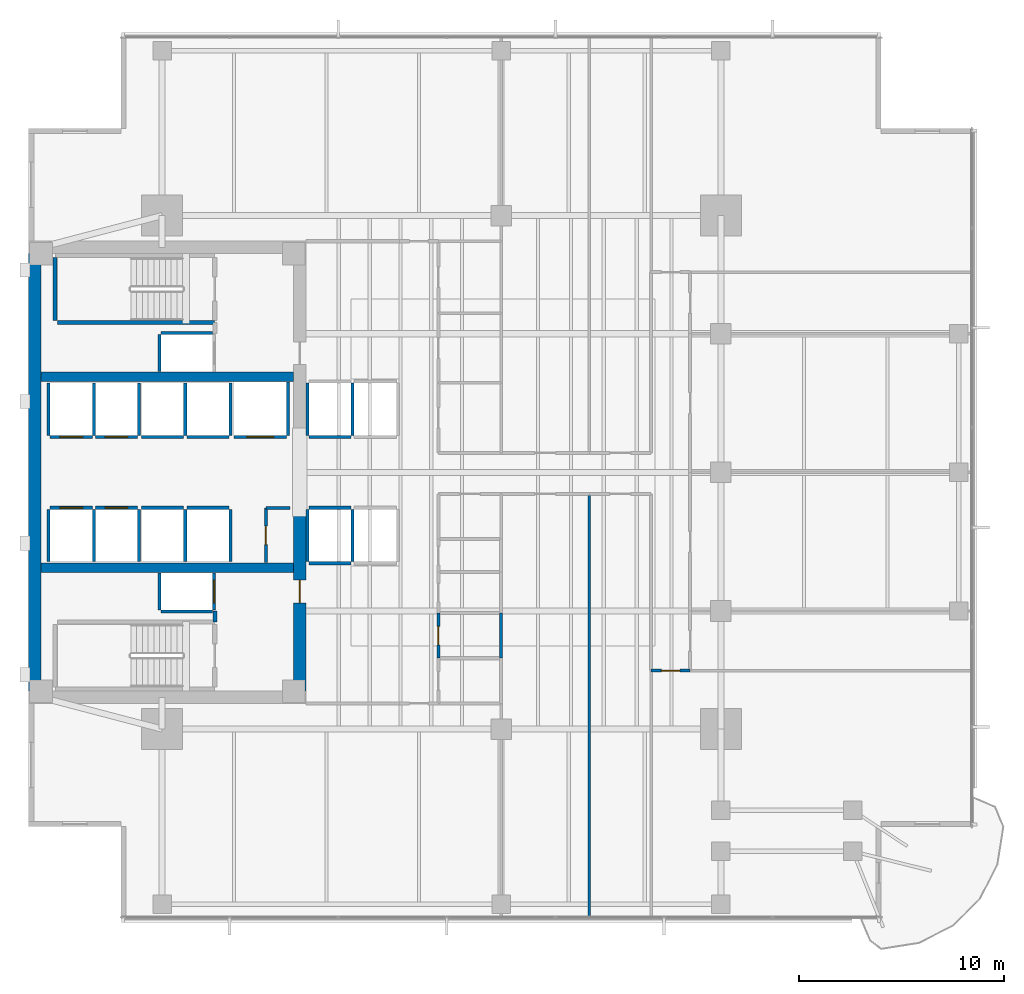
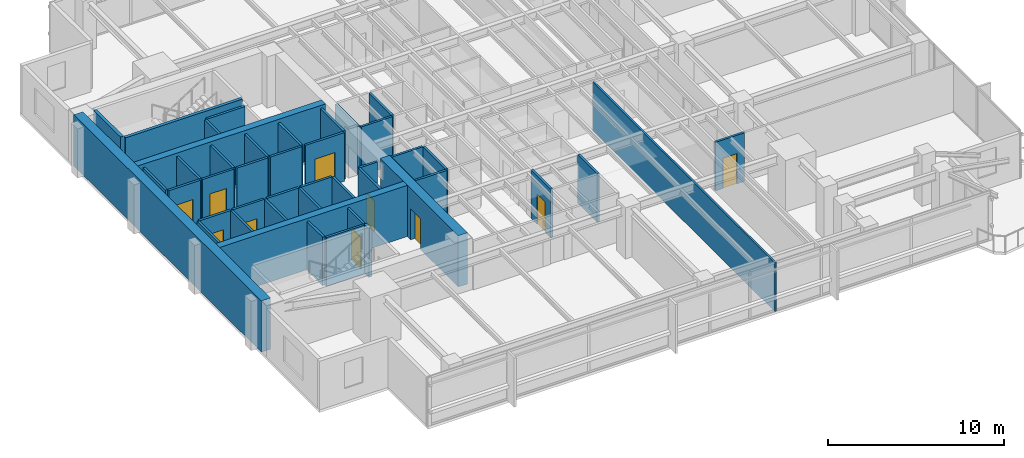
# One storey, part 8 of 14: 45 walls, 10 doors, 10 openings.
"""IFC4 building model written with IfcOpenShell, lengths in metres."""

from ifc_helpers import new_model, si_unit, direction, frame, frame_2d, origin, place, context, subcontext, project, spatial, rectangle, extrude, material, layer, layer_set, type_object, element, fill, save


model = new_model("IFC4")

# Units and contexts
model_context = context("Model", 3, precision=1e-05, world=origin(), true_north=direction((0.0, 1.0)))
body_context = subcontext(model_context, "Body", "Model", "MODEL_VIEW")
ifc_project = project(units=[si_unit("LENGTHUNIT", "METRE"), si_unit("AREAUNIT", "SQUARE_METRE"), si_unit("VOLUMEUNIT", "CUBIC_METRE"), si_unit("PLANEANGLEUNIT", "RADIAN"), si_unit("MASSUNIT", "GRAM", prefix="KILO")], contexts=[model_context])

# Site, building, storey
site_placement = place(None, origin())
site = spatial("IfcSite", under=ifc_project, at=site_placement, CompositionType="ELEMENT")
building_placement = place(site_placement, origin())
building = spatial("IfcBuilding", under=site, at=building_placement, Name="Kinhvarn Gate Tower", CompositionType="ELEMENT")
storey_placement = place(building_placement, frame((0.0, 0.0, 102.25)))
storey = spatial("IfcBuildingStorey", under=building, at=storey_placement, Name="L26", CompositionType="ELEMENT", Elevation=102.25)

# Walls
ifc_material_1 = material(Name="Concrete C50/60", Category="concrete")
ifc_layer_1 = layer(ifc_material_1, 0.449951171875)
ifc_layer_set_1 = layer_set([ifc_layer_1], Name="Concrete C50/60")
wall_type_1 = type_object("IfcWallType", Name="WL-CORE-450", PredefinedType="SHEAR", material=ifc_layer_set_1)
for number, where, z_axis, x_axis, name in (
    (1, (5.10009765625, 20.60009765625, 0.0), (0.0, 0.0, 1.0), (1.0, 0.0, 0.0), "Core South Spine Shear Wall L26 450 mm"),
    (2, (5.10009765625, 29.89990234375, 0.0), (0.0, 0.0, 1.0), (1.0, 0.0, 0.0), "Core North Spine Shear Wall L26 450 mm"),
):
    element("IfcWall", number, at=place(storey_placement, frame(where, z_axis=z_axis, x_axis=x_axis)), inside=storey, type_object=wall_type_1, Name=name, PredefinedType="SHEAR", context=body_context, shape_type="SweptSolid", body=[
        extrude(rectangle(XDim=12.2998046875, YDim=0.449951171875, at=frame_2d((6.14990234375, 0.0))), origin(), (0.0, 0.0, 1.0), 3.550048828125),
    ])

# Wall, opening, door
ifc_material_2 = material(Name="Concrete C60/75", Category="concrete")
ifc_layer_2 = layer(ifc_material_2, 0.60009765625)
ifc_layer_set_2 = layer_set([ifc_layer_2], Name="Concrete C60/75")
wall_type_2 = type_object("IfcWallType", Name="WL-CORE-600", PredefinedType="SHEAR", material=ifc_layer_set_2)
wall_1_placement = place(storey_placement, frame((17.699951171875, 14.60009765625, 0.0), z_axis=(0.0, 0.0, 1.0), x_axis=(0.0, 1.0, 0.0)))
wall_1 = element("IfcWall", 3, at=wall_1_placement, inside=storey, type_object=wall_type_2, Name="Core East-South Shear Pier L26 600 mm", PredefinedType="SHEAR", context=body_context, shape_type="SweptSolid", body=[
    extrude(rectangle(XDim=8.849853515625, YDim=0.60009765625, at=frame_2d((4.4248046875, 0.0))), origin(), (0.0, 0.0, 1.0), 3.550048828125),
])
opening_1_placement = place(wall_1_placement, frame((4.300048828125, 0.0, 0.0)))
opening_1 = element("IfcOpeningElement", 4, at=opening_1_placement, cuts=wall_1, Name="Opening FD-02", PredefinedType="OPENING", context=body_context, shape_type="SweptSolid", body=[
    extrude(rectangle(XDim=1.10009765625, YDim=2.14990234375, at=frame_2d((0.550048828125, 1.074951171875))), frame((0.0, 0.31005859375, 0.0), z_axis=(0.0, -1.0, 0.0), x_axis=(1.0, 0.0, 0.0)), (0.0, 0.0, 1.0), 0.6201171875),
])
ifc_material_3 = material(Name="Anodised aluminium AW-6063", Category="aluminium")
door_type_1 = type_object("IfcDoorType", Name="DR-FD-1100", OperationType="NOTDEFINED", PredefinedType="DOOR", material=ifc_material_3)
door_1_placement = place(opening_1_placement, origin())
door_1 = element("IfcDoor", 5, at=door_1_placement, inside=storey, type_object=door_type_1, Name="Firefighting Lobby Core Door (L26)", OperationType="SINGLE_SWING_RIGHT", OverallHeight=2.14990234375, OverallWidth=1.10009765625, PredefinedType="DOOR", context=body_context, shape_type="SweptSolid", body=[
    extrude(rectangle(XDim=1.10009765625, YDim=2.14990234375, at=frame_2d((0.550048828125, 1.074951171875))), frame((0.0, 0.02490234375, 0.0), z_axis=(0.0, -1.0, 0.0), x_axis=(1.0, 0.0, 0.0)), (0.0, 0.0, 1.0), 0.050048828125),
])
fill(opening_1, door_1)

# Walls
ifc_layer_3 = layer(ifc_material_2, 0.60009765625)
ifc_layer_set_3 = layer_set([ifc_layer_3], Name="Concrete C60/75")
wall_type_3 = type_object("IfcWallType", Name="WL-COREX-600", PredefinedType="SHEAR", material=ifc_layer_set_3)
wall_2_placement = place(storey_placement, frame((4.800048828125, 14.60009765625, 0.0), z_axis=(0.0, 0.0, 1.0), x_axis=(0.0, 1.0, 0.0)))
element("IfcWall", 6, at=wall_2_placement, inside=storey, type_object=wall_type_3, Name="Core West Shear Wall L26 600 mm", PredefinedType="SHEAR", context=body_context, shape_type="SweptSolid", body=[
    extrude(rectangle(XDim=21.2998046875, YDim=0.60009765625, at=frame_2d((10.64990234375, 0.0))), origin(), (0.0, 0.0, 1.0), 3.550048828125),
])
ifc_material_4 = material(Name="Gypsum acoustic partition board")
ifc_layer_4 = layer(ifc_material_4, 0.14990234375)
ifc_layer_set_4 = layer_set([ifc_layer_4], Name="Gypsum acoustic partition board")
wall_type_4 = type_object("IfcWallType", Name="WL-PLM-150", PredefinedType="PLUMBINGWALL", material=ifc_layer_set_4)
wall_3_placement = place(storey_placement, frame((27.5, 16.199951171875, 0.0), z_axis=(0.0, 0.0, 1.0), x_axis=(0.0, 1.0, 0.0)))
element("IfcWall", 7, at=wall_3_placement, inside=storey, type_object=wall_type_4, Name="Interior Partition PLW-150 (L26)", PredefinedType="PLUMBINGWALL", context=body_context, shape_type="SweptSolid", body=[
    extrude(rectangle(XDim=2.199951171875, YDim=0.14990234375, at=frame_2d((1.10009765625, 0.0))), origin(), (0.0, 0.0, 1.0), 3.3701171875),
])

# Wall, opening, door
ifc_layer_5 = layer(ifc_material_4, 0.14990234375)
ifc_layer_set_5 = layer_set([ifc_layer_5], Name="Gypsum acoustic partition board")
wall_type_5 = type_object("IfcWallType", Name="WL-PLM-150F", PredefinedType="PLUMBINGWALL", material=ifc_layer_set_5)
wall_4_placement = place(storey_placement, frame((24.449951171875, 16.199951171875, 0.0), z_axis=(0.0, 0.0, 1.0), x_axis=(0.0, 1.0, 0.0)))
wall_4 = element("IfcWall", 8, at=wall_4_placement, inside=storey, type_object=wall_type_5, Name="Interior Partition PLW-150F (L26)", PredefinedType="PLUMBINGWALL", context=body_context, shape_type="SweptSolid", body=[
    extrude(rectangle(XDim=2.199951171875, YDim=0.14990234375, at=frame_2d((1.10009765625, 0.0))), origin(), (0.0, 0.0, 1.0), 3.3701171875),
])
opening_2_placement = place(wall_4_placement, frame((0.64990234375, 0.0, 0.0)))
opening_2 = element("IfcOpeningElement", 9, at=opening_2_placement, cuts=wall_4, Name="Opening FD-04", PredefinedType="OPENING", context=body_context, shape_type="SweptSolid", body=[
    extrude(rectangle(XDim=0.89990234375, YDim=2.10009765625, at=frame_2d((0.449951171875, 1.050048828125))), frame((0.0, 0.0849609375, 0.0), z_axis=(0.0, -1.0, 0.0), x_axis=(1.0, 0.0, 0.0)), (0.0, 0.0, 1.0), 0.169921875),
])
door_type_2 = type_object("IfcDoorType", Name="DR-FD-900", OperationType="NOTDEFINED", PredefinedType="DOOR", material=ifc_material_3)
door_2_placement = place(opening_2_placement, origin())
door_2 = element("IfcDoor", 10, at=door_2_placement, inside=storey, type_object=door_type_2, Name="Rated Riser & Service Closet Fire Door 900x2100 mm (L26)", OperationType="SINGLE_SWING_LEFT", OverallHeight=2.10009765625, OverallWidth=0.89990234375, PredefinedType="DOOR", context=body_context, shape_type="SweptSolid", body=[
    extrude(rectangle(XDim=0.89990234375, YDim=2.10009765625, at=frame_2d((0.449951171875, 1.050048828125))), frame((0.0, 0.02490234375, 0.0), z_axis=(0.0, -1.0, 0.0), x_axis=(1.0, 0.0, 0.0)), (0.0, 0.0, 1.0), 0.050048828125),
])
fill(opening_2, door_2)

# Wall
ifc_layer_6 = layer(ifc_material_4, 0.1201171875)
ifc_layer_set_6 = layer_set([ifc_layer_6], Name="Gypsum acoustic partition board")
wall_type_6 = type_object("IfcWallType", Name="WL-PRT-120", PredefinedType="PARTITIONING", material=ifc_layer_set_6)
wall_5_placement = place(storey_placement, frame((31.800048828125, 3.510009765625, 0.0), z_axis=(0.0, 0.0, 1.0), x_axis=(0.0, 1.0, 0.0)))
element("IfcWall", 11, at=wall_5_placement, inside=storey, type_object=wall_type_6, Name="Interior Partition PW-120 (L26)", PredefinedType="PARTITIONING", context=body_context, shape_type="SweptSolid", body=[
    extrude(rectangle(XDim=20.68994140625, YDim=0.1201171875, at=frame_2d((10.344970703125, 0.0))), origin(), (0.0, 0.0, 1.0), 3.3701171875),
])

# Wall, opening, door
ifc_layer_7 = layer(ifc_material_4, 0.14990234375)
ifc_layer_set_7 = layer_set([ifc_layer_7], Name="Gypsum acoustic partition board")
wall_type_7 = type_object("IfcWallType", Name="WL-PRT-150F", PredefinedType="PARTITIONING", material=ifc_layer_set_7)
wall_6_placement = place(storey_placement, frame((16.050048828125, 20.85009765625, 0.0), z_axis=(0.0, 0.0, 1.0), x_axis=(0.0, 1.0, 0.0)))
wall_6 = element("IfcWall", 12, at=wall_6_placement, inside=storey, type_object=wall_type_7, Name="Interior Partition PW-150F (L26)", PredefinedType="PARTITIONING", context=body_context, shape_type="SweptSolid", body=[
    extrude(rectangle(XDim=2.669921875, YDim=0.14990234375, at=frame_2d((1.3349609375, 0.0))), origin(), (0.0, 0.0, 1.0), 3.3701171875),
])
opening_3_placement = place(wall_6_placement, frame((0.885009765625, 0.0, 0.0)))
opening_3 = element("IfcOpeningElement", 13, at=opening_3_placement, cuts=wall_6, Name="Opening FD-04", PredefinedType="OPENING", context=body_context, shape_type="SweptSolid", body=[
    extrude(rectangle(XDim=0.89990234375, YDim=2.10009765625, at=frame_2d((0.449951171875, 1.050048828125))), frame((0.0, 0.0849609375, 0.0), z_axis=(0.0, -1.0, 0.0), x_axis=(1.0, 0.0, 0.0)), (0.0, 0.0, 1.0), 0.169921875),
])
door_3_placement = place(opening_3_placement, origin())
door_3 = element("IfcDoor", 14, at=door_3_placement, inside=storey, type_object=door_type_2, Name="Rated Riser & Service Closet Fire Door 900x2100 mm (L26)", OperationType="SINGLE_SWING_LEFT", OverallHeight=2.10009765625, OverallWidth=0.89990234375, PredefinedType="DOOR", context=body_context, shape_type="SweptSolid", body=[
    extrude(rectangle(XDim=0.89990234375, YDim=2.10009765625, at=frame_2d((0.449951171875, 1.050048828125))), frame((0.0, 0.02490234375, 0.0), z_axis=(0.0, -1.0, 0.0), x_axis=(1.0, 0.0, 0.0)), (0.0, 0.0, 1.0), 0.050048828125),
])
fill(opening_3, door_3)

# Wall
wall_7_placement = place(storey_placement, frame((16.050048828125, 23.52001953125, 0.0), z_axis=(0.0, 0.0, 1.0), x_axis=(1.0, 0.0, 0.0)))
element("IfcWall", 15, at=wall_7_placement, inside=storey, type_object=wall_type_7, Name="Interior Partition PW-150F (L26)", PredefinedType="PARTITIONING", context=body_context, shape_type="SweptSolid", body=[
    extrude(rectangle(XDim=1.169921875, YDim=0.14990234375, at=frame_2d((0.5849609375, 0.0))), origin(), (0.0, 0.0, 1.0), 3.3701171875),
])

# Wall, opening, door
wall_8_placement = place(storey_placement, frame((34.800048828125, 15.60009765625, 0.0), z_axis=(0.0, 0.0, 1.0), x_axis=(1.0, 0.0, 0.0)))
wall_8 = element("IfcWall", 16, at=wall_8_placement, inside=storey, type_object=wall_type_7, Name="Interior Partition PW-150F (L26)", PredefinedType="PARTITIONING", context=body_context, shape_type="SweptSolid", body=[
    extrude(rectangle(XDim=1.89990234375, YDim=0.14990234375, at=frame_2d((0.949951171875, 0.0))), origin(), (0.0, 0.0, 1.0), 3.3701171875),
])
opening_4_placement = place(wall_8_placement, frame((0.5, 0.0, 0.0)))
opening_4 = element("IfcOpeningElement", 17, at=opening_4_placement, cuts=wall_8, Name="Opening ID-03", PredefinedType="OPENING", context=body_context, shape_type="SweptSolid", body=[
    extrude(rectangle(XDim=0.89990234375, YDim=2.10009765625, at=frame_2d((0.449951171875, 1.050048828125))), frame((0.0, 0.0849609375, 0.0), z_axis=(0.0, -1.0, 0.0), x_axis=(1.0, 0.0, 0.0)), (0.0, 0.0, 1.0), 0.169921875),
])
door_type_3 = type_object("IfcDoorType", Name="DR-INT-900", OperationType="NOTDEFINED", PredefinedType="DOOR", material=ifc_material_3)
door_4_placement = place(opening_4_placement, origin())
door_4 = element("IfcDoor", 18, at=door_4_placement, inside=storey, type_object=door_type_3, Name="Cellular Office & Restroom Door 900x2100 mm (L26)", OperationType="SINGLE_SWING_RIGHT", OverallHeight=2.10009765625, OverallWidth=0.89990234375, PredefinedType="DOOR", context=body_context, shape_type="SweptSolid", body=[
    extrude(rectangle(XDim=0.89990234375, YDim=2.10009765625, at=frame_2d((0.449951171875, 1.050048828125))), frame((0.0, 0.02490234375, 0.0), z_axis=(0.0, -1.0, 0.0), x_axis=(1.0, 0.0, 0.0)), (0.0, 0.0, 1.0), 0.050048828125),
])
fill(opening_4, door_4)

# Walls
ifc_layer_8 = layer(ifc_material_4, 0.199951171875)
ifc_layer_set_8 = layer_set([ifc_layer_8], Name="Gypsum acoustic partition board")
wall_type_8 = type_object("IfcWallType", Name="WL-PRT-200", PredefinedType="PARTITIONING", material=ifc_layer_set_8)
wall_9_placement = place(storey_placement, frame((13.580078125, 17.9599609375, 0.0), z_axis=(0.0, 0.0, 1.0), x_axis=(0.0, 1.0, 0.0)))
element("IfcWall", 19, at=wall_9_placement, inside=storey, type_object=wall_type_8, Name="Interior Partition PW-200 (L26)", PredefinedType="PARTITIONING", context=body_context, shape_type="SweptSolid", body=[
    extrude(rectangle(XDim=0.5400390625, YDim=0.199951171875, at=frame_2d((0.27001953125, 0.0))), origin(), (0.0, 0.0, 1.0), 3.3701171875),
])
ifc_layer_9 = layer(ifc_material_4, 0.14990234375)
ifc_layer_set_9 = layer_set([ifc_layer_9], Name="Gypsum acoustic partition board")
wall_type_9 = type_object("IfcWallType", Name="WL-SHF-150", PredefinedType="PARTITIONING", material=ifc_layer_set_9)
for number, where, z_axis, x_axis, name in (
    (20, (18.14990234375, 20.824951171875, 0.0), (0.0, 0.0, 1.0), (1.0, 0.0, 0.0), "Elevator PL-01 Hoistway Wall S (L26)"),
    (21, (18.14990234375, 23.52490234375, 0.0), (0.0, 0.0, 1.0), (1.0, 0.0, 0.0), "Elevator PL-01 Landing Wall (L26)"),
):
    element("IfcWall", number, at=place(storey_placement, frame(where, z_axis=z_axis, x_axis=x_axis)), inside=storey, type_object=wall_type_9, Name=name, PredefinedType="PARTITIONING", context=body_context, shape_type="SweptSolid", body=[
        extrude(rectangle(XDim=2.050048828125, YDim=0.14990234375, at=frame_2d((1.02490234375, 0.0))), origin(), (0.0, 0.0, 1.0), 3.3701171875),
    ])
for number, where, z_axis, x_axis, name in (
    (22, (18.074951171875, 20.89990234375, 0.0), (0.0, 0.0, 1.0), (0.0, 1.0, 0.0), "Elevator PL-01 Hoistway Wall W (L26)"),
    (23, (20.27490234375, 20.89990234375, 0.0), (0.0, 0.0, 1.0), (0.0, 1.0, 0.0), "Elevator PL-01 Hoistway Wall E (L26)"),
):
    element("IfcWall", number, at=place(storey_placement, frame(where, z_axis=z_axis, x_axis=x_axis)), inside=storey, type_object=wall_type_9, Name=name, PredefinedType="PARTITIONING", context=body_context, shape_type="SweptSolid", body=[
        extrude(rectangle(XDim=2.550048828125, YDim=0.14990234375, at=frame_2d((1.27490234375, 0.0))), origin(), (0.0, 0.0, 1.0), 3.3701171875),
    ])
wall_10_placement = place(storey_placement, frame((18.14990234375, 26.97509765625, 0.0), z_axis=(0.0, 0.0, 1.0), x_axis=(1.0, 0.0, 0.0)))
element("IfcWall", 24, at=wall_10_placement, inside=storey, type_object=wall_type_9, Name="Elevator PL-03 Landing Wall (L26)", PredefinedType="PARTITIONING", context=body_context, shape_type="SweptSolid", body=[
    extrude(rectangle(XDim=2.050048828125, YDim=0.14990234375, at=frame_2d((1.02490234375, 0.0))), origin(), (0.0, 0.0, 1.0), 3.3701171875),
])
for number, where, z_axis, x_axis, name in (
    (25, (18.074951171875, 27.050048828125, 0.0), (0.0, 0.0, 1.0), (0.0, 1.0, 0.0), "Elevator PL-03 Hoistway Wall W (L26)"),
    (26, (20.27490234375, 27.050048828125, 0.0), (0.0, 0.0, 1.0), (0.0, 1.0, 0.0), "Elevator PL-03 Hoistway Wall E (L26)"),
):
    element("IfcWall", number, at=place(storey_placement, frame(where, z_axis=z_axis, x_axis=x_axis)), inside=storey, type_object=wall_type_9, Name=name, PredefinedType="PARTITIONING", context=body_context, shape_type="SweptSolid", body=[
        extrude(rectangle(XDim=2.550048828125, YDim=0.14990234375, at=frame_2d((1.27490234375, 0.0))), origin(), (0.0, 0.0, 1.0), 3.3701171875),
    ])

# Wall, opening, door
wall_11_placement = place(storey_placement, frame((5.550048828125, 23.52490234375, 0.0), z_axis=(0.0, 0.0, 1.0), x_axis=(1.0, 0.0, 0.0)))
wall_11 = element("IfcWall", 27, at=wall_11_placement, inside=storey, type_object=wall_type_9, Name="Elevator PM-05 Landing Wall (L26)", PredefinedType="PARTITIONING", context=body_context, shape_type="SweptSolid", body=[
    extrude(rectangle(XDim=2.050048828125, YDim=0.14990234375, at=frame_2d((1.02490234375, 0.0))), origin(), (0.0, 0.0, 1.0), 3.3701171875),
])
opening_5_placement = place(wall_11_placement, frame((0.47509765625, 0.0, 0.0)))
opening_5 = element("IfcOpeningElement", 28, at=opening_5_placement, cuts=wall_11, Name="Opening LD-01", PredefinedType="OPENING", context=body_context, shape_type="SweptSolid", body=[
    extrude(rectangle(XDim=1.10009765625, YDim=2.199951171875, at=frame_2d((0.550048828125, 1.10009765625))), frame((0.0, 0.0849609375, 0.0), z_axis=(0.0, -1.0, 0.0), x_axis=(1.0, 0.0, 0.0)), (0.0, 0.0, 1.0), 0.169921875),
])
door_type_4 = type_object("IfcDoorType", Name="DR-LND-PAS", OperationType="NOTDEFINED", PredefinedType="DOOR", material=ifc_material_3)
door_5_placement = place(opening_5_placement, origin())
door_5 = element("IfcDoor", 29, at=door_5_placement, inside=storey, type_object=door_type_4, Name="Elevator PM-05 Sliding Landing Door (L26)", OperationType="DOUBLE_DOOR_SLIDING", OverallHeight=2.199951171875, OverallWidth=1.10009765625, PredefinedType="DOOR", context=body_context, shape_type="SweptSolid", body=[
    extrude(rectangle(XDim=1.10009765625, YDim=2.199951171875, at=frame_2d((0.550048828125, 1.10009765625))), frame((0.0, 0.02490234375, 0.0), z_axis=(0.0, -1.0, 0.0), x_axis=(1.0, 0.0, 0.0)), (0.0, 0.0, 1.0), 0.050048828125),
])
fill(opening_5, door_5)

# Walls
for number, where, z_axis, x_axis, name in (
    (30, (5.47509765625, 20.89990234375, 0.0), (0.0, 0.0, 1.0), (0.0, 1.0, 0.0), "Elevator PM-05 Hoistway Wall W (L26)"),
    (31, (7.675048828125, 20.89990234375, 0.0), (0.0, 0.0, 1.0), (0.0, 1.0, 0.0), "Elevator PM-05 Hoistway Wall E (L26)"),
):
    element("IfcWall", number, at=place(storey_placement, frame(where, z_axis=z_axis, x_axis=x_axis)), inside=storey, type_object=wall_type_9, Name=name, PredefinedType="PARTITIONING", context=body_context, shape_type="SweptSolid", body=[
        extrude(rectangle(XDim=2.550048828125, YDim=0.14990234375, at=frame_2d((1.27490234375, 0.0))), origin(), (0.0, 0.0, 1.0), 3.3701171875),
    ])

# Wall, opening, door
wall_12_placement = place(storey_placement, frame((7.75, 23.52490234375, 0.0), z_axis=(0.0, 0.0, 1.0), x_axis=(1.0, 0.0, 0.0)))
wall_12 = element("IfcWall", 32, at=wall_12_placement, inside=storey, type_object=wall_type_9, Name="Elevator PM-06 Landing Wall (L26)", PredefinedType="PARTITIONING", context=body_context, shape_type="SweptSolid", body=[
    extrude(rectangle(XDim=2.050048828125, YDim=0.14990234375, at=frame_2d((1.02490234375, 0.0))), origin(), (0.0, 0.0, 1.0), 3.3701171875),
])
opening_6_placement = place(wall_12_placement, frame((0.47509765625, 0.0, 0.0)))
opening_6 = element("IfcOpeningElement", 33, at=opening_6_placement, cuts=wall_12, Name="Opening LD-01", PredefinedType="OPENING", context=body_context, shape_type="SweptSolid", body=[
    extrude(rectangle(XDim=1.10009765625, YDim=2.199951171875, at=frame_2d((0.550048828125, 1.10009765625))), frame((0.0, 0.0849609375, 0.0), z_axis=(0.0, -1.0, 0.0), x_axis=(1.0, 0.0, 0.0)), (0.0, 0.0, 1.0), 0.169921875),
])
door_6_placement = place(opening_6_placement, origin())
door_6 = element("IfcDoor", 34, at=door_6_placement, inside=storey, type_object=door_type_4, Name="Elevator PM-06 Sliding Landing Door (L26)", OperationType="DOUBLE_DOOR_SLIDING", OverallHeight=2.199951171875, OverallWidth=1.10009765625, PredefinedType="DOOR", context=body_context, shape_type="SweptSolid", body=[
    extrude(rectangle(XDim=1.10009765625, YDim=2.199951171875, at=frame_2d((0.550048828125, 1.10009765625))), frame((0.0, 0.02490234375, 0.0), z_axis=(0.0, -1.0, 0.0), x_axis=(1.0, 0.0, 0.0)), (0.0, 0.0, 1.0), 0.050048828125),
])
fill(opening_6, door_6)

# Wall
wall_13_placement = place(storey_placement, frame((9.875, 20.89990234375, 0.0), z_axis=(0.0, 0.0, 1.0), x_axis=(0.0, 1.0, 0.0)))
element("IfcWall", 35, at=wall_13_placement, inside=storey, type_object=wall_type_9, Name="Elevator PM-06 Hoistway Wall E (L26)", PredefinedType="PARTITIONING", context=body_context, shape_type="SweptSolid", body=[
    extrude(rectangle(XDim=2.550048828125, YDim=0.14990234375, at=frame_2d((1.27490234375, 0.0))), origin(), (0.0, 0.0, 1.0), 3.3701171875),
])

# Wall, opening, door
wall_14_placement = place(storey_placement, frame((5.550048828125, 26.97509765625, 0.0), z_axis=(0.0, 0.0, 1.0), x_axis=(1.0, 0.0, 0.0)))
wall_14 = element("IfcWall", 36, at=wall_14_placement, inside=storey, type_object=wall_type_9, Name="Elevator PM-07 Landing Wall (L26)", PredefinedType="PARTITIONING", context=body_context, shape_type="SweptSolid", body=[
    extrude(rectangle(XDim=2.050048828125, YDim=0.14990234375, at=frame_2d((1.02490234375, 0.0))), origin(), (0.0, 0.0, 1.0), 3.3701171875),
])
opening_7_placement = place(wall_14_placement, frame((0.47509765625, 0.0, 0.0)))
opening_7 = element("IfcOpeningElement", 37, at=opening_7_placement, cuts=wall_14, Name="Opening LD-01", PredefinedType="OPENING", context=body_context, shape_type="SweptSolid", body=[
    extrude(rectangle(XDim=1.10009765625, YDim=2.199951171875, at=frame_2d((0.550048828125, 1.10009765625))), frame((0.0, 0.0849609375, 0.0), z_axis=(0.0, -1.0, 0.0), x_axis=(1.0, 0.0, 0.0)), (0.0, 0.0, 1.0), 0.169921875),
])
door_7_placement = place(opening_7_placement, origin())
door_7 = element("IfcDoor", 38, at=door_7_placement, inside=storey, type_object=door_type_4, Name="Elevator PM-07 Sliding Landing Door (L26)", OperationType="DOUBLE_DOOR_SLIDING", OverallHeight=2.199951171875, OverallWidth=1.10009765625, PredefinedType="DOOR", context=body_context, shape_type="SweptSolid", body=[
    extrude(rectangle(XDim=1.10009765625, YDim=2.199951171875, at=frame_2d((0.550048828125, 1.10009765625))), frame((0.0, 0.02490234375, 0.0), z_axis=(0.0, -1.0, 0.0), x_axis=(1.0, 0.0, 0.0)), (0.0, 0.0, 1.0), 0.050048828125),
])
fill(opening_7, door_7)

# Walls
for number, where, z_axis, x_axis, name in (
    (39, (5.47509765625, 27.050048828125, 0.0), (0.0, 0.0, 1.0), (0.0, 1.0, 0.0), "Elevator PM-07 Hoistway Wall W (L26)"),
    (40, (7.675048828125, 27.050048828125, 0.0), (0.0, 0.0, 1.0), (0.0, 1.0, 0.0), "Elevator PM-07 Hoistway Wall E (L26)"),
):
    element("IfcWall", number, at=place(storey_placement, frame(where, z_axis=z_axis, x_axis=x_axis)), inside=storey, type_object=wall_type_9, Name=name, PredefinedType="PARTITIONING", context=body_context, shape_type="SweptSolid", body=[
        extrude(rectangle(XDim=2.550048828125, YDim=0.14990234375, at=frame_2d((1.27490234375, 0.0))), origin(), (0.0, 0.0, 1.0), 3.3701171875),
    ])

# Wall, opening, door
wall_15_placement = place(storey_placement, frame((7.75, 26.97509765625, 0.0), z_axis=(0.0, 0.0, 1.0), x_axis=(1.0, 0.0, 0.0)))
wall_15 = element("IfcWall", 41, at=wall_15_placement, inside=storey, type_object=wall_type_9, Name="Elevator PM-08 Landing Wall (L26)", PredefinedType="PARTITIONING", context=body_context, shape_type="SweptSolid", body=[
    extrude(rectangle(XDim=2.050048828125, YDim=0.14990234375, at=frame_2d((1.02490234375, 0.0))), origin(), (0.0, 0.0, 1.0), 3.3701171875),
])
opening_8_placement = place(wall_15_placement, frame((0.47509765625, 0.0, 0.0)))
opening_8 = element("IfcOpeningElement", 42, at=opening_8_placement, cuts=wall_15, Name="Opening LD-01", PredefinedType="OPENING", context=body_context, shape_type="SweptSolid", body=[
    extrude(rectangle(XDim=1.10009765625, YDim=2.199951171875, at=frame_2d((0.550048828125, 1.10009765625))), frame((0.0, 0.0849609375, 0.0), z_axis=(0.0, -1.0, 0.0), x_axis=(1.0, 0.0, 0.0)), (0.0, 0.0, 1.0), 0.169921875),
])
door_8_placement = place(opening_8_placement, origin())
door_8 = element("IfcDoor", 43, at=door_8_placement, inside=storey, type_object=door_type_4, Name="Elevator PM-08 Sliding Landing Door (L26)", OperationType="DOUBLE_DOOR_SLIDING", OverallHeight=2.199951171875, OverallWidth=1.10009765625, PredefinedType="DOOR", context=body_context, shape_type="SweptSolid", body=[
    extrude(rectangle(XDim=1.10009765625, YDim=2.199951171875, at=frame_2d((0.550048828125, 1.10009765625))), frame((0.0, 0.02490234375, 0.0), z_axis=(0.0, -1.0, 0.0), x_axis=(1.0, 0.0, 0.0)), (0.0, 0.0, 1.0), 0.050048828125),
])
fill(opening_8, door_8)

# Walls
wall_16_placement = place(storey_placement, frame((9.875, 27.050048828125, 0.0), z_axis=(0.0, 0.0, 1.0), x_axis=(0.0, 1.0, 0.0)))
element("IfcWall", 44, at=wall_16_placement, inside=storey, type_object=wall_type_9, Name="Elevator PM-08 Hoistway Wall E (L26)", PredefinedType="PARTITIONING", context=body_context, shape_type="SweptSolid", body=[
    extrude(rectangle(XDim=2.550048828125, YDim=0.14990234375, at=frame_2d((1.27490234375, 0.0))), origin(), (0.0, 0.0, 1.0), 3.3701171875),
])
wall_17_placement = place(storey_placement, frame((10.0, 23.52490234375, 0.0), z_axis=(0.0, 0.0, 1.0), x_axis=(1.0, 0.0, 0.0)))
element("IfcWall", 45, at=wall_17_placement, inside=storey, type_object=wall_type_9, Name="Elevator PH-09 Landing Wall (L26)", PredefinedType="PARTITIONING", context=body_context, shape_type="SweptSolid", body=[
    extrude(rectangle(XDim=2.050048828125, YDim=0.14990234375, at=frame_2d((1.02490234375, 0.0))), origin(), (0.0, 0.0, 1.0), 3.3701171875),
])
wall_18_placement = place(storey_placement, frame((12.125, 20.89990234375, 0.0), z_axis=(0.0, 0.0, 1.0), x_axis=(0.0, 1.0, 0.0)))
element("IfcWall", 46, at=wall_18_placement, inside=storey, type_object=wall_type_9, Name="Elevator PH-09 Hoistway Wall E (L26)", PredefinedType="PARTITIONING", context=body_context, shape_type="SweptSolid", body=[
    extrude(rectangle(XDim=2.550048828125, YDim=0.14990234375, at=frame_2d((1.27490234375, 0.0))), origin(), (0.0, 0.0, 1.0), 3.3701171875),
])
wall_19_placement = place(storey_placement, frame((12.199951171875, 23.52490234375, 0.0), z_axis=(0.0, 0.0, 1.0), x_axis=(1.0, 0.0, 0.0)))
element("IfcWall", 47, at=wall_19_placement, inside=storey, type_object=wall_type_9, Name="Elevator PH-10 Landing Wall (L26)", PredefinedType="PARTITIONING", context=body_context, shape_type="SweptSolid", body=[
    extrude(rectangle(XDim=2.050048828125, YDim=0.14990234375, at=frame_2d((1.02490234375, 0.0))), origin(), (0.0, 0.0, 1.0), 3.3701171875),
])
wall_20_placement = place(storey_placement, frame((14.324951171875, 20.89990234375, 0.0), z_axis=(0.0, 0.0, 1.0), x_axis=(0.0, 1.0, 0.0)))
element("IfcWall", 48, at=wall_20_placement, inside=storey, type_object=wall_type_9, Name="Elevator PH-10 Hoistway Wall E (L26)", PredefinedType="PARTITIONING", context=body_context, shape_type="SweptSolid", body=[
    extrude(rectangle(XDim=2.550048828125, YDim=0.14990234375, at=frame_2d((1.27490234375, 0.0))), origin(), (0.0, 0.0, 1.0), 3.3701171875),
])
wall_21_placement = place(storey_placement, frame((10.0, 26.97509765625, 0.0), z_axis=(0.0, 0.0, 1.0), x_axis=(1.0, 0.0, 0.0)))
element("IfcWall", 49, at=wall_21_placement, inside=storey, type_object=wall_type_9, Name="Elevator PH-11 Landing Wall (L26)", PredefinedType="PARTITIONING", context=body_context, shape_type="SweptSolid", body=[
    extrude(rectangle(XDim=2.050048828125, YDim=0.14990234375, at=frame_2d((1.02490234375, 0.0))), origin(), (0.0, 0.0, 1.0), 3.3701171875),
])
wall_22_placement = place(storey_placement, frame((12.125, 27.050048828125, 0.0), z_axis=(0.0, 0.0, 1.0), x_axis=(0.0, 1.0, 0.0)))
element("IfcWall", 50, at=wall_22_placement, inside=storey, type_object=wall_type_9, Name="Elevator PH-11 Hoistway Wall E (L26)", PredefinedType="PARTITIONING", context=body_context, shape_type="SweptSolid", body=[
    extrude(rectangle(XDim=2.550048828125, YDim=0.14990234375, at=frame_2d((1.27490234375, 0.0))), origin(), (0.0, 0.0, 1.0), 3.3701171875),
])
wall_23_placement = place(storey_placement, frame((12.199951171875, 26.97509765625, 0.0), z_axis=(0.0, 0.0, 1.0), x_axis=(1.0, 0.0, 0.0)))
element("IfcWall", 51, at=wall_23_placement, inside=storey, type_object=wall_type_9, Name="Elevator PH-12 Landing Wall (L26)", PredefinedType="PARTITIONING", context=body_context, shape_type="SweptSolid", body=[
    extrude(rectangle(XDim=2.050048828125, YDim=0.14990234375, at=frame_2d((1.02490234375, 0.0))), origin(), (0.0, 0.0, 1.0), 3.3701171875),
])
wall_24_placement = place(storey_placement, frame((14.324951171875, 27.050048828125, 0.0), z_axis=(0.0, 0.0, 1.0), x_axis=(0.0, 1.0, 0.0)))
element("IfcWall", 52, at=wall_24_placement, inside=storey, type_object=wall_type_9, Name="Elevator PH-12 Hoistway Wall E (L26)", PredefinedType="PARTITIONING", context=body_context, shape_type="SweptSolid", body=[
    extrude(rectangle(XDim=2.550048828125, YDim=0.14990234375, at=frame_2d((1.27490234375, 0.0))), origin(), (0.0, 0.0, 1.0), 3.3701171875),
])

# Wall, opening, door
wall_25_placement = place(storey_placement, frame((14.5, 26.97509765625, 0.0), z_axis=(0.0, 0.0, 1.0), x_axis=(1.0, 0.0, 0.0)))
wall_25 = element("IfcWall", 53, at=wall_25_placement, inside=storey, type_object=wall_type_9, Name="Elevator SV-01 Landing Wall (L26)", PredefinedType="PARTITIONING", context=body_context, shape_type="SweptSolid", body=[
    extrude(rectangle(XDim=2.550048828125, YDim=0.14990234375, at=frame_2d((1.27490234375, 0.0))), origin(), (0.0, 0.0, 1.0), 3.3701171875),
])
opening_9_placement = place(wall_25_placement, frame((0.625, 0.0, 0.0)))
opening_9 = element("IfcOpeningElement", 54, at=opening_9_placement, cuts=wall_25, Name="Opening LD-02", PredefinedType="OPENING", context=body_context, shape_type="SweptSolid", body=[
    extrude(rectangle(XDim=1.300048828125, YDim=2.199951171875, at=frame_2d((0.64990234375, 1.10009765625))), frame((0.0, 0.0849609375, 0.0), z_axis=(0.0, -1.0, 0.0), x_axis=(1.0, 0.0, 0.0)), (0.0, 0.0, 1.0), 0.169921875),
])
door_type_5 = type_object("IfcDoorType", Name="DR-LND-SRV", OperationType="NOTDEFINED", PredefinedType="DOOR", material=ifc_material_3)
door_9_placement = place(opening_9_placement, origin())
door_9 = element("IfcDoor", 55, at=door_9_placement, inside=storey, type_object=door_type_5, Name="Elevator SV-01 Sliding Landing Door (L26)", OperationType="DOUBLE_DOOR_SLIDING", OverallHeight=2.199951171875, OverallWidth=1.300048828125, PredefinedType="DOOR", context=body_context, shape_type="SweptSolid", body=[
    extrude(rectangle(XDim=1.300048828125, YDim=2.199951171875, at=frame_2d((0.64990234375, 1.10009765625))), frame((0.0, 0.02490234375, 0.0), z_axis=(0.0, -1.0, 0.0), x_axis=(1.0, 0.0, 0.0)), (0.0, 0.0, 1.0), 0.050048828125),
])
fill(opening_9, door_9)

# Walls
wall_26_placement = place(storey_placement, frame((17.125, 27.050048828125, 0.0), z_axis=(0.0, 0.0, 1.0), x_axis=(0.0, 1.0, 0.0)))
element("IfcWall", 56, at=wall_26_placement, inside=storey, type_object=wall_type_9, Name="Elevator SV-01 Hoistway Wall E (L26)", PredefinedType="PARTITIONING", context=body_context, shape_type="SweptSolid", body=[
    extrude(rectangle(XDim=2.599853515625, YDim=0.14990234375, at=frame_2d((1.2998046875, 0.0))), origin(), (0.0, 0.0, 1.0), 3.3701171875),
])
wall_27_placement = place(storey_placement, frame((10.949951171875, 18.47509765625, 0.0), z_axis=(0.0, 0.0, 1.0), x_axis=(1.0, 0.0, 0.0)))
element("IfcWall", 57, at=wall_27_placement, inside=storey, type_object=wall_type_9, Name="Elevator FF1 Hoistway Wall S (L26)", PredefinedType="PARTITIONING", context=body_context, shape_type="SweptSolid", body=[
    extrude(rectangle(XDim=2.5, YDim=0.14990234375, at=frame_2d((1.25, 0.0))), origin(), (0.0, 0.0, 1.0), 3.3701171875),
])
wall_28_placement = place(storey_placement, frame((10.875, 18.550048828125, 0.0), z_axis=(0.0, 0.0, 1.0), x_axis=(0.0, 1.0, 0.0)))
element("IfcWall", 58, at=wall_28_placement, inside=storey, type_object=wall_type_9, Name="Elevator FF1 Hoistway Wall W (L26)", PredefinedType="PARTITIONING", context=body_context, shape_type="SweptSolid", body=[
    extrude(rectangle(XDim=1.800048828125, YDim=0.14990234375, at=frame_2d((0.89990234375, 0.0))), origin(), (0.0, 0.0, 1.0), 3.3701171875),
])

# Wall, opening, door
wall_29_placement = place(storey_placement, frame((13.52490234375, 18.550048828125, 0.0), z_axis=(0.0, 0.0, 1.0), x_axis=(0.0, 1.0, 0.0)))
wall_29 = element("IfcWall", 59, at=wall_29_placement, inside=storey, type_object=wall_type_9, Name="Elevator FF1 Landing Wall (L26)", PredefinedType="PARTITIONING", context=body_context, shape_type="SweptSolid", body=[
    extrude(rectangle(XDim=1.800048828125, YDim=0.14990234375, at=frame_2d((0.89990234375, 0.0))), origin(), (0.0, 0.0, 1.0), 3.3701171875),
])
opening_10_placement = place(wall_29_placement, frame((0.35009765625, 0.0, 0.0)))
opening_10 = element("IfcOpeningElement", 60, at=opening_10_placement, cuts=wall_29, Name="Opening LD-03", PredefinedType="OPENING", context=body_context, shape_type="SweptSolid", body=[
    extrude(rectangle(XDim=1.10009765625, YDim=2.199951171875, at=frame_2d((0.550048828125, 1.10009765625))), frame((0.0, 0.0849609375, 0.0), z_axis=(0.0, -1.0, 0.0), x_axis=(1.0, 0.0, 0.0)), (0.0, 0.0, 1.0), 0.169921875),
])
door_type_6 = type_object("IfcDoorType", Name="DR-LND-FF", OperationType="NOTDEFINED", PredefinedType="DOOR", material=ifc_material_3)
door_10_placement = place(opening_10_placement, origin())
door_10 = element("IfcDoor", 61, at=door_10_placement, inside=storey, type_object=door_type_6, Name="Elevator FF1 Sliding Landing Door (L26)", OperationType="DOUBLE_DOOR_SLIDING", OverallHeight=2.199951171875, OverallWidth=1.10009765625, PredefinedType="DOOR", context=body_context, shape_type="SweptSolid", body=[
    extrude(rectangle(XDim=1.10009765625, YDim=2.199951171875, at=frame_2d((0.550048828125, 1.10009765625))), frame((0.0, 0.02490234375, 0.0), z_axis=(0.0, -1.0, 0.0), x_axis=(1.0, 0.0, 0.0)), (0.0, 0.0, 1.0), 0.050048828125),
])
fill(opening_10, door_10)

# Walls
wall_30_placement = place(storey_placement, frame((10.949951171875, 32.02490234375, 0.0), z_axis=(0.0, 0.0, 1.0), x_axis=(1.0, 0.0, 0.0)))
element("IfcWall", 62, at=wall_30_placement, inside=storey, type_object=wall_type_9, Name="Elevator FF2 Hoistway Wall N (L26)", PredefinedType="PARTITIONING", context=body_context, shape_type="SweptSolid", body=[
    extrude(rectangle(XDim=2.5, YDim=0.14990234375, at=frame_2d((1.25, 0.0))), origin(), (0.0, 0.0, 1.0), 3.3701171875),
])
wall_31_placement = place(storey_placement, frame((10.875, 30.14990234375, 0.0), z_axis=(0.0, 0.0, 1.0), x_axis=(0.0, 1.0, 0.0)))
element("IfcWall", 63, at=wall_31_placement, inside=storey, type_object=wall_type_9, Name="Elevator FF2 Hoistway Wall W (L26)", PredefinedType="PARTITIONING", context=body_context, shape_type="SweptSolid", body=[
    extrude(rectangle(XDim=1.800048828125, YDim=0.14990234375, at=frame_2d((0.89990234375, 0.0))), origin(), (0.0, 0.0, 1.0), 3.3701171875),
])
ifc_material_5 = material(Name="Concrete C40/50", Category="concrete")
ifc_layer_10 = layer(ifc_material_5, 0.199951171875)
ifc_layer_set_10 = layer_set([ifc_layer_10], Name="Concrete C40/50")
wall_type_10 = type_object("IfcWallType", Name="WL-SHF-200", PredefinedType="SOLIDWALL", material=ifc_layer_set_10)
wall_32_placement = place(storey_placement, frame((5.7900390625, 32.64990234375, 0.0), z_axis=(0.0, 0.0, 1.0), x_axis=(0.0, 1.0, 0.0)))
element("IfcWall", 64, at=wall_32_placement, inside=storey, type_object=wall_type_10, Name="Stair ST2 West Shaft Wall (L26)", PredefinedType="SOLIDWALL", context=body_context, shape_type="SweptSolid", body=[
    extrude(rectangle(XDim=3.050048828125, YDim=0.199951171875, at=frame_2d((1.52490234375, 0.0))), origin(), (0.0, 0.0, 1.0), 3.550048828125),
])
wall_33_placement = place(storey_placement, frame((5.89990234375, 32.5400390625, 0.0), z_axis=(0.0, 0.0, 1.0), x_axis=(1.0, 0.0, 0.0)))
element("IfcWall", 65, at=wall_33_placement, inside=storey, type_object=wall_type_10, Name="Stair ST2 South Shaft Wall (L26)", PredefinedType="SOLIDWALL", context=body_context, shape_type="SweptSolid", body=[
    extrude(rectangle(XDim=7.66015625, YDim=0.199951171875, at=frame_2d((3.830078125, 0.0))), origin(), (0.0, 0.0, 1.0), 3.550048828125),
])

save(model, "model.ifc")
